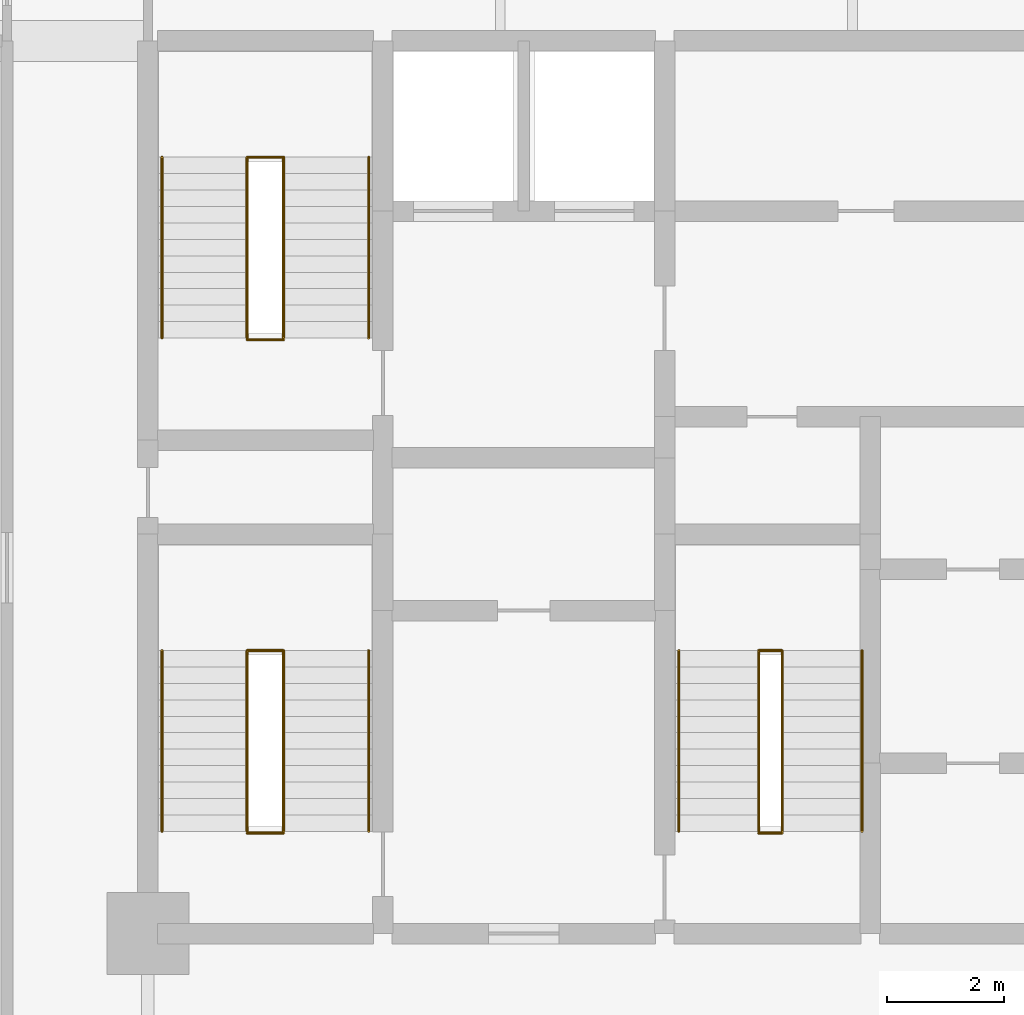
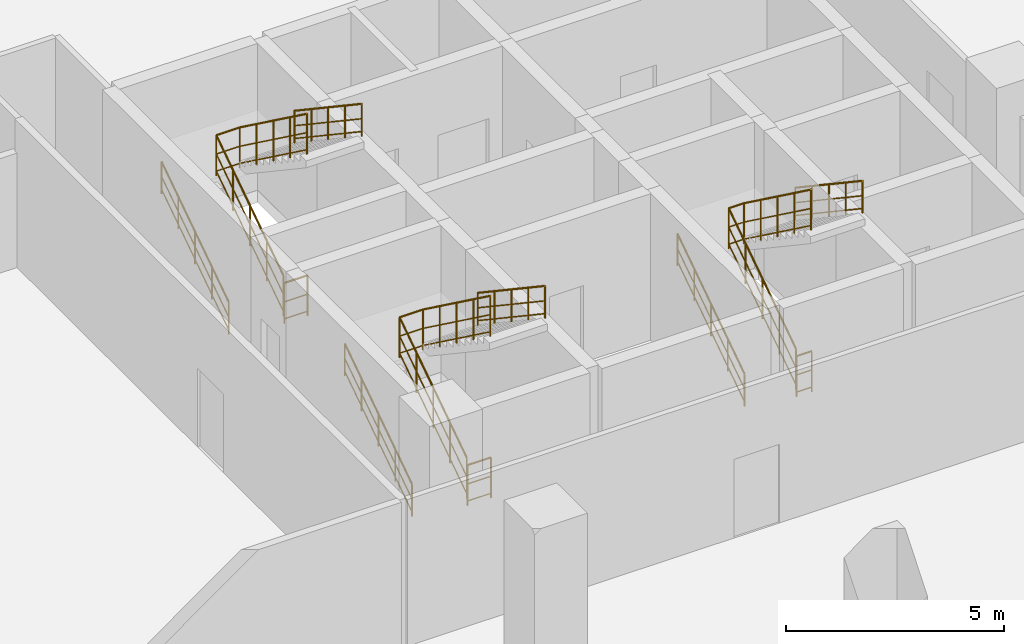
# One storey, part 7 of 7: 12 railings.
"""IFC4 building model written with IfcOpenShell, lengths in metres."""

from ifc_helpers import new_model, si_unit, direction, frame, origin, origin_2d, place, context, subcontext, project, spatial, circle, extrude, material, layer, layer_set, type_object, element, save


model = new_model("IFC4")

# Units and contexts
model_context = context("Model", 3, precision=1e-05, world=origin(), true_north=direction((0.0, 1.0)))
body_context = subcontext(model_context, "Body", "Model", "MODEL_VIEW")
ifc_project = project(units=[si_unit("LENGTHUNIT", "METRE"), si_unit("AREAUNIT", "SQUARE_METRE"), si_unit("VOLUMEUNIT", "CUBIC_METRE"), si_unit("PLANEANGLEUNIT", "RADIAN"), si_unit("MASSUNIT", "GRAM", prefix="KILO")], contexts=[model_context])

# Site, building, storey
site_placement = place(None, origin())
site = spatial("IfcSite", under=ifc_project, at=site_placement, CompositionType="ELEMENT")
building_placement = place(site_placement, origin())
building = spatial("IfcBuilding", under=site, at=building_placement, Name="Keshet Zoharim Tower", CompositionType="ELEMENT")
storey_placement = place(building_placement, frame((0.0, 0.0, -4.5)))
storey = spatial("IfcBuildingStorey", under=building, at=storey_placement, Name="B1", CompositionType="ELEMENT", Elevation=-4.5)

# Railings
ifc_material = material(Name="Steel S355", Category="steel")
ifc_layer_1 = layer(ifc_material, 0.050048828125)
ifc_layer_set_1 = layer_set([ifc_layer_1], Name="Steel S355")
railing_type_1 = type_object("IfcRailingType", Name="RL-HND-092", PredefinedType="HANDRAIL", material=ifc_layer_set_1)
railing_1_placement = place(storey_placement, frame((15.239990234375, 24.43994140625, 0.1875)))
element("IfcRailing", 1, at=railing_1_placement, inside=storey, type_object=railing_type_1, Name="B1 ST-01 Flight 1 Wall Handrail", PredefinedType="HANDRAIL", context=body_context, shape_type="SweptSolid", body=[
    extrude(circle(Radius=0.02392578125, at=origin_2d()), frame((0.0, 0.0, 0.89599609375), z_axis=(0.0, 0.830913701846, 0.55640131208), x_axis=(-1.0, 0.0, 0.0)), (0.0, 0.0, 1.0), 3.706787109375),
    extrude(circle(Radius=0.01611328125, at=origin_2d()), frame((0.0, 0.0, 0.478271484375), z_axis=(0.0, 0.830913701846, 0.55640131208), x_axis=(-1.0, 0.0, 0.0)), (0.0, 0.0, 1.0), 3.706787109375),
    extrude(circle(Radius=0.01611328125, at=origin_2d()), frame((0.0, 0.0, 0.1201171875), z_axis=(0.0, 0.830913701846, 0.55640131208), x_axis=(-1.0, 0.0, 0.0)), (0.0, 0.0, 1.0), 3.706787109375),
    extrude(circle(Radius=0.02099609375, at=origin_2d()), origin(), (0.0, 0.0, 1.0), 0.871826171875),
    extrude(circle(Radius=0.02099609375, at=origin_2d()), frame((0.0, 0.77001953125, 0.515625)), (0.0, 0.0, 1.0), 0.871826171875),
    extrude(circle(Radius=0.02099609375, at=origin_2d()), frame((0.0, 1.5400390625, 1.03125)), (0.0, 0.0, 1.0), 0.871826171875),
    extrude(circle(Radius=0.02099609375, at=origin_2d()), frame((0.0, 2.31005859375, 1.546875)), (0.0, 0.0, 1.0), 0.871826171875),
    extrude(circle(Radius=0.02099609375, at=origin_2d()), frame((0.0, 3.080078125, 2.0625)), (0.0, 0.0, 1.0), 0.871826171875),
])
railing_2_placement = place(storey_placement, frame((18.760009765625, 27.52001953125, 2.4375)))
element("IfcRailing", 2, at=railing_2_placement, inside=storey, type_object=railing_type_1, Name="B1 ST-01 Flight 2 Wall Handrail", PredefinedType="HANDRAIL", context=body_context, shape_type="SweptSolid", body=[
    extrude(circle(Radius=0.02392578125, at=origin_2d()), frame((0.0, 0.0, 0.89599609375), z_axis=(0.0, -0.830913701846, 0.55640131208), x_axis=(1.0, 0.0, 0.0)), (0.0, 0.0, 1.0), 3.706787109375),
    extrude(circle(Radius=0.01611328125, at=origin_2d()), frame((0.0, 0.0, 0.478271484375), z_axis=(0.0, -0.830913701846, 0.55640131208), x_axis=(1.0, 0.0, 0.0)), (0.0, 0.0, 1.0), 3.706787109375),
    extrude(circle(Radius=0.01611328125, at=origin_2d()), frame((0.0, 0.0, 0.1201171875), z_axis=(0.0, -0.830913701846, 0.55640131208), x_axis=(1.0, 0.0, 0.0)), (0.0, 0.0, 1.0), 3.706787109375),
    extrude(circle(Radius=0.02099609375, at=origin_2d()), origin(), (0.0, 0.0, 1.0), 0.871826171875),
    extrude(circle(Radius=0.02099609375, at=origin_2d()), frame((0.0, -0.77001953125, 0.515625)), (0.0, 0.0, 1.0), 0.871826171875),
    extrude(circle(Radius=0.02099609375, at=origin_2d()), frame((0.0, -1.5400390625, 1.03125)), (0.0, 0.0, 1.0), 0.871826171875),
    extrude(circle(Radius=0.02099609375, at=origin_2d()), frame((0.0, -2.31005859375, 1.546875)), (0.0, 0.0, 1.0), 0.871826171875),
    extrude(circle(Radius=0.02099609375, at=origin_2d()), frame((0.0, -3.080078125, 2.0625)), (0.0, 0.0, 1.0), 0.871826171875),
])
railing_3_placement = place(storey_placement, frame((15.239990234375, 32.840087890625, 0.1875)))
element("IfcRailing", 3, at=railing_3_placement, inside=storey, type_object=railing_type_1, Name="B1 ST-02 Flight 1 Wall Handrail", PredefinedType="HANDRAIL", context=body_context, shape_type="SweptSolid", body=[
    extrude(circle(Radius=0.02392578125, at=origin_2d()), frame((0.0, 0.0, 0.89599609375), z_axis=(0.0, 0.830893310487, 0.556431762742), x_axis=(-1.0, 0.0, 0.0)), (0.0, 0.0, 1.0), 3.70654296875),
    extrude(circle(Radius=0.01611328125, at=origin_2d()), frame((0.0, 0.0, 0.478271484375), z_axis=(0.0, 0.830893310487, 0.556431762742), x_axis=(-1.0, 0.0, 0.0)), (0.0, 0.0, 1.0), 3.70654296875),
    extrude(circle(Radius=0.01611328125, at=origin_2d()), frame((0.0, 0.0, 0.1201171875), z_axis=(0.0, 0.830893310487, 0.556431762742), x_axis=(-1.0, 0.0, 0.0)), (0.0, 0.0, 1.0), 3.70654296875),
    extrude(circle(Radius=0.02099609375, at=origin_2d()), origin(), (0.0, 0.0, 1.0), 0.871826171875),
    extrude(circle(Radius=0.02099609375, at=origin_2d()), frame((0.0, 0.77001953125, 0.515625)), (0.0, 0.0, 1.0), 0.871826171875),
    extrude(circle(Radius=0.02099609375, at=origin_2d()), frame((0.0, 1.5400390625, 1.03125)), (0.0, 0.0, 1.0), 0.871826171875),
    extrude(circle(Radius=0.02099609375, at=origin_2d()), frame((0.0, 2.309814453125, 1.546875)), (0.0, 0.0, 1.0), 0.871826171875),
    extrude(circle(Radius=0.02099609375, at=origin_2d()), frame((0.0, 3.079833984375, 2.0625)), (0.0, 0.0, 1.0), 0.871826171875),
])
railing_4_placement = place(storey_placement, frame((18.760009765625, 35.919921875, 2.4375)))
element("IfcRailing", 4, at=railing_4_placement, inside=storey, type_object=railing_type_1, Name="B1 ST-02 Flight 2 Wall Handrail", PredefinedType="HANDRAIL", context=body_context, shape_type="SweptSolid", body=[
    extrude(circle(Radius=0.02392578125, at=origin_2d()), frame((0.0, 0.0, 0.89599609375), z_axis=(0.0, -0.830893310487, 0.556431762742), x_axis=(1.0, 0.0, 0.0)), (0.0, 0.0, 1.0), 3.70654296875),
    extrude(circle(Radius=0.01611328125, at=origin_2d()), frame((0.0, 0.0, 0.478271484375), z_axis=(0.0, -0.830893310487, 0.556431762742), x_axis=(1.0, 0.0, 0.0)), (0.0, 0.0, 1.0), 3.70654296875),
    extrude(circle(Radius=0.01611328125, at=origin_2d()), frame((0.0, 0.0, 0.1201171875), z_axis=(0.0, -0.830893310487, 0.556431762742), x_axis=(1.0, 0.0, 0.0)), (0.0, 0.0, 1.0), 3.70654296875),
    extrude(circle(Radius=0.02099609375, at=origin_2d()), origin(), (0.0, 0.0, 1.0), 0.871826171875),
    extrude(circle(Radius=0.02099609375, at=origin_2d()), frame((0.0, -0.77001953125, 0.515625)), (0.0, 0.0, 1.0), 0.871826171875),
    extrude(circle(Radius=0.02099609375, at=origin_2d()), frame((0.0, -1.5400390625, 1.03125)), (0.0, 0.0, 1.0), 0.871826171875),
    extrude(circle(Radius=0.02099609375, at=origin_2d()), frame((0.0, -2.309814453125, 1.546875)), (0.0, 0.0, 1.0), 0.871826171875),
    extrude(circle(Radius=0.02099609375, at=origin_2d()), frame((0.0, -3.079833984375, 2.0625)), (0.0, 0.0, 1.0), 0.871826171875),
])
railing_5_placement = place(storey_placement, frame((24.0400390625, 24.43994140625, 0.1875)))
element("IfcRailing", 5, at=railing_5_placement, inside=storey, type_object=railing_type_1, Name="B1 ST-03 Flight 1 Wall Handrail", PredefinedType="HANDRAIL", context=body_context, shape_type="SweptSolid", body=[
    extrude(circle(Radius=0.02392578125, at=origin_2d()), frame((0.0, 0.0, 0.89599609375), z_axis=(0.0, 0.830913701846, 0.55640131208), x_axis=(-1.0, 0.0, 0.0)), (0.0, 0.0, 1.0), 3.706787109375),
    extrude(circle(Radius=0.01611328125, at=origin_2d()), frame((0.0, 0.0, 0.478271484375), z_axis=(0.0, 0.830913701846, 0.55640131208), x_axis=(-1.0, 0.0, 0.0)), (0.0, 0.0, 1.0), 3.706787109375),
    extrude(circle(Radius=0.01611328125, at=origin_2d()), frame((0.0, 0.0, 0.1201171875), z_axis=(0.0, 0.830913701846, 0.55640131208), x_axis=(-1.0, 0.0, 0.0)), (0.0, 0.0, 1.0), 3.706787109375),
    extrude(circle(Radius=0.02099609375, at=origin_2d()), origin(), (0.0, 0.0, 1.0), 0.871826171875),
    extrude(circle(Radius=0.02099609375, at=origin_2d()), frame((0.0, 0.77001953125, 0.515625)), (0.0, 0.0, 1.0), 0.871826171875),
    extrude(circle(Radius=0.02099609375, at=origin_2d()), frame((0.0, 1.5400390625, 1.03125)), (0.0, 0.0, 1.0), 0.871826171875),
    extrude(circle(Radius=0.02099609375, at=origin_2d()), frame((0.0, 2.31005859375, 1.546875)), (0.0, 0.0, 1.0), 0.871826171875),
    extrude(circle(Radius=0.02099609375, at=origin_2d()), frame((0.0, 3.080078125, 2.0625)), (0.0, 0.0, 1.0), 0.871826171875),
])
railing_6_placement = place(storey_placement, frame((27.159912109375, 27.52001953125, 2.4375)))
element("IfcRailing", 6, at=railing_6_placement, inside=storey, type_object=railing_type_1, Name="B1 ST-03 Flight 2 Wall Handrail", PredefinedType="HANDRAIL", context=body_context, shape_type="SweptSolid", body=[
    extrude(circle(Radius=0.02392578125, at=origin_2d()), frame((0.0, 0.0, 0.89599609375), z_axis=(0.0, -0.830913701846, 0.55640131208), x_axis=(1.0, 0.0, 0.0)), (0.0, 0.0, 1.0), 3.706787109375),
    extrude(circle(Radius=0.01611328125, at=origin_2d()), frame((0.0, 0.0, 0.478271484375), z_axis=(0.0, -0.830913701846, 0.55640131208), x_axis=(1.0, 0.0, 0.0)), (0.0, 0.0, 1.0), 3.706787109375),
    extrude(circle(Radius=0.01611328125, at=origin_2d()), frame((0.0, 0.0, 0.1201171875), z_axis=(0.0, -0.830913701846, 0.55640131208), x_axis=(1.0, 0.0, 0.0)), (0.0, 0.0, 1.0), 3.706787109375),
    extrude(circle(Radius=0.02099609375, at=origin_2d()), origin(), (0.0, 0.0, 1.0), 0.871826171875),
    extrude(circle(Radius=0.02099609375, at=origin_2d()), frame((0.0, -0.77001953125, 0.515625)), (0.0, 0.0, 1.0), 0.871826171875),
    extrude(circle(Radius=0.02099609375, at=origin_2d()), frame((0.0, -1.5400390625, 1.03125)), (0.0, 0.0, 1.0), 0.871826171875),
    extrude(circle(Radius=0.02099609375, at=origin_2d()), frame((0.0, -2.31005859375, 1.546875)), (0.0, 0.0, 1.0), 0.871826171875),
    extrude(circle(Radius=0.02099609375, at=origin_2d()), frame((0.0, -3.080078125, 2.0625)), (0.0, 0.0, 1.0), 0.871826171875),
])
ifc_layer_2 = layer(ifc_material, 0.06005859375)
ifc_layer_set_2 = layer_set([ifc_layer_2], Name="Steel S355")
railing_type_2 = type_object("IfcRailingType", Name="RL-STG-115", PredefinedType="GUARDRAIL", material=ifc_layer_set_2)
railing_7_placement = place(storey_placement, frame((16.68994140625, 24.43994140625, 0.1875)))
element("IfcRailing", 7, at=railing_7_placement, inside=storey, type_object=railing_type_2, Name="B1 ST-01 Inner Well Guardrail", PredefinedType="GUARDRAIL", context=body_context, shape_type="SweptSolid", body=[
    extrude(circle(Radius=0.02392578125, at=origin_2d()), frame((0.0, 0.0, 1.1259765625), z_axis=(0.0, 0.830913701846, 0.55640131208), x_axis=(-1.0, 0.0, 0.0)), (0.0, 0.0, 1.0), 3.706787109375),
    extrude(circle(Radius=0.01611328125, at=origin_2d()), frame((0.0, 0.0, 0.597900390625), z_axis=(0.0, 0.830913701846, 0.55640131208), x_axis=(-1.0, 0.0, 0.0)), (0.0, 0.0, 1.0), 3.706787109375),
    extrude(circle(Radius=0.01611328125, at=origin_2d()), frame((0.0, 0.0, 0.1201171875), z_axis=(0.0, 0.830913701846, 0.55640131208), x_axis=(-1.0, 0.0, 0.0)), (0.0, 0.0, 1.0), 3.706787109375),
    extrude(circle(Radius=0.02392578125, at=origin_2d()), frame((0.0, 3.080078125, 3.1884765625), z_axis=(1.0, 0.0, 0.0), x_axis=(0.0, 1.0, 0.0)), (0.0, 0.0, 1.0), 0.6201171875),
    extrude(circle(Radius=0.01611328125, at=origin_2d()), frame((0.0, 3.080078125, 2.660400390625), z_axis=(1.0, 0.0, 0.0), x_axis=(0.0, 1.0, 0.0)), (0.0, 0.0, 1.0), 0.6201171875),
    extrude(circle(Radius=0.01611328125, at=origin_2d()), frame((0.0, 3.080078125, 2.1826171875), z_axis=(1.0, 0.0, 0.0), x_axis=(0.0, 1.0, 0.0)), (0.0, 0.0, 1.0), 0.6201171875),
    extrude(circle(Radius=0.02392578125, at=origin_2d()), frame((0.6201171875, 3.080078125, 3.1884765625), z_axis=(0.0, -0.807494308864, 0.589875360692), x_axis=(1.0, 0.0, 0.0)), (0.0, 0.0, 1.0), 3.814453125),
    extrude(circle(Radius=0.01611328125, at=origin_2d()), frame((0.6201171875, 3.080078125, 2.660400390625), z_axis=(0.0, -0.807494308864, 0.589875360692), x_axis=(1.0, 0.0, 0.0)), (0.0, 0.0, 1.0), 3.814453125),
    extrude(circle(Radius=0.01611328125, at=origin_2d()), frame((0.6201171875, 3.080078125, 2.1826171875), z_axis=(0.0, -0.807494308864, 0.589875360692), x_axis=(1.0, 0.0, 0.0)), (0.0, 0.0, 1.0), 3.814453125),
    extrude(circle(Radius=0.02099609375, at=origin_2d()), origin(), (0.0, 0.0, 1.0), 1.101806640625),
    extrude(circle(Radius=0.02099609375, at=origin_2d()), frame((0.0, 0.77001953125, 0.515625)), (0.0, 0.0, 1.0), 1.101806640625),
    extrude(circle(Radius=0.02099609375, at=origin_2d()), frame((0.0, 1.5400390625, 1.03125)), (0.0, 0.0, 1.0), 1.101806640625),
    extrude(circle(Radius=0.02099609375, at=origin_2d()), frame((0.0, 2.31005859375, 1.546875)), (0.0, 0.0, 1.0), 1.101806640625),
    extrude(circle(Radius=0.02099609375, at=origin_2d()), frame((0.0, 3.080078125, 2.0625)), (0.0, 0.0, 1.0), 1.101806640625),
    extrude(circle(Radius=0.02099609375, at=origin_2d()), frame((0.6201171875, 3.080078125, 2.0625)), (0.0, 0.0, 1.0), 1.101806640625),
    extrude(circle(Radius=0.02099609375, at=origin_2d()), frame((0.6201171875, 2.31005859375, 2.625)), (0.0, 0.0, 1.0), 1.101806640625),
    extrude(circle(Radius=0.02099609375, at=origin_2d()), frame((0.6201171875, 1.5400390625, 3.1875)), (0.0, 0.0, 1.0), 1.101806640625),
    extrude(circle(Radius=0.02099609375, at=origin_2d()), frame((0.6201171875, 0.77001953125, 3.75)), (0.0, 0.0, 1.0), 1.101806640625),
    extrude(circle(Radius=0.02099609375, at=origin_2d()), frame((0.6201171875, 0.0, 4.3125)), (0.0, 0.0, 1.0), 1.101806640625),
])
railing_8_placement = place(storey_placement, frame((16.68994140625, 24.409912109375, 0.0)))
element("IfcRailing", 8, at=railing_8_placement, inside=storey, type_object=railing_type_2, Name="B1 ST-01 Stairwell Floor Guardrail", PredefinedType="GUARDRAIL", context=body_context, shape_type="SweptSolid", body=[
    extrude(circle(Radius=0.02392578125, at=origin_2d()), frame((0.0, 0.0, 1.1259765625), z_axis=(1.0, 0.0, 0.0), x_axis=(0.0, 1.0, 0.0)), (0.0, 0.0, 1.0), 0.6201171875),
    extrude(circle(Radius=0.01611328125, at=origin_2d()), frame((0.0, 0.0, 0.597900390625), z_axis=(1.0, 0.0, 0.0), x_axis=(0.0, 1.0, 0.0)), (0.0, 0.0, 1.0), 0.6201171875),
    extrude(circle(Radius=0.01611328125, at=origin_2d()), frame((0.0, 0.0, 0.1201171875), z_axis=(1.0, 0.0, 0.0), x_axis=(0.0, 1.0, 0.0)), (0.0, 0.0, 1.0), 0.6201171875),
    extrude(circle(Radius=0.02099609375, at=origin_2d()), origin(), (0.0, 0.0, 1.0), 1.101806640625),
    extrude(circle(Radius=0.02099609375, at=origin_2d()), frame((0.6201171875, 0.0, 0.0)), (0.0, 0.0, 1.0), 1.101806640625),
])
railing_9_placement = place(storey_placement, frame((16.68994140625, 32.840087890625, 0.1875)))
element("IfcRailing", 9, at=railing_9_placement, inside=storey, type_object=railing_type_2, Name="B1 ST-02 Inner Well Guardrail", PredefinedType="GUARDRAIL", context=body_context, shape_type="SweptSolid", body=[
    extrude(circle(Radius=0.02392578125, at=origin_2d()), frame((0.0, 0.0, 1.1259765625), z_axis=(0.0, 0.830893310487, 0.556431762742), x_axis=(-1.0, 0.0, 0.0)), (0.0, 0.0, 1.0), 3.70654296875),
    extrude(circle(Radius=0.01611328125, at=origin_2d()), frame((0.0, 0.0, 0.597900390625), z_axis=(0.0, 0.830893310487, 0.556431762742), x_axis=(-1.0, 0.0, 0.0)), (0.0, 0.0, 1.0), 3.70654296875),
    extrude(circle(Radius=0.01611328125, at=origin_2d()), frame((0.0, 0.0, 0.1201171875), z_axis=(0.0, 0.830893310487, 0.556431762742), x_axis=(-1.0, 0.0, 0.0)), (0.0, 0.0, 1.0), 3.70654296875),
    extrude(circle(Radius=0.02392578125, at=origin_2d()), frame((0.0, 3.079833984375, 3.1884765625), z_axis=(1.0, 0.0, 0.0), x_axis=(0.0, 1.0, 0.0)), (0.0, 0.0, 1.0), 0.6201171875),
    extrude(circle(Radius=0.01611328125, at=origin_2d()), frame((0.0, 3.079833984375, 2.660400390625), z_axis=(1.0, 0.0, 0.0), x_axis=(0.0, 1.0, 0.0)), (0.0, 0.0, 1.0), 0.6201171875),
    extrude(circle(Radius=0.01611328125, at=origin_2d()), frame((0.0, 3.079833984375, 2.1826171875), z_axis=(1.0, 0.0, 0.0), x_axis=(0.0, 1.0, 0.0)), (0.0, 0.0, 1.0), 0.6201171875),
    extrude(circle(Radius=0.02392578125, at=origin_2d()), frame((0.6201171875, 3.079833984375, 3.1884765625), z_axis=(0.0, -0.80747203621, 0.589905849046), x_axis=(1.0, 0.0, 0.0)), (0.0, 0.0, 1.0), 3.814208984375),
    extrude(circle(Radius=0.01611328125, at=origin_2d()), frame((0.6201171875, 3.079833984375, 2.660400390625), z_axis=(0.0, -0.80747203621, 0.589905849046), x_axis=(1.0, 0.0, 0.0)), (0.0, 0.0, 1.0), 3.814208984375),
    extrude(circle(Radius=0.01611328125, at=origin_2d()), frame((0.6201171875, 3.079833984375, 2.1826171875), z_axis=(0.0, -0.80747203621, 0.589905849046), x_axis=(1.0, 0.0, 0.0)), (0.0, 0.0, 1.0), 3.814208984375),
    extrude(circle(Radius=0.02099609375, at=origin_2d()), origin(), (0.0, 0.0, 1.0), 1.101806640625),
    extrude(circle(Radius=0.02099609375, at=origin_2d()), frame((0.0, 0.77001953125, 0.515625)), (0.0, 0.0, 1.0), 1.101806640625),
    extrude(circle(Radius=0.02099609375, at=origin_2d()), frame((0.0, 1.5400390625, 1.03125)), (0.0, 0.0, 1.0), 1.101806640625),
    extrude(circle(Radius=0.02099609375, at=origin_2d()), frame((0.0, 2.309814453125, 1.546875)), (0.0, 0.0, 1.0), 1.101806640625),
    extrude(circle(Radius=0.02099609375, at=origin_2d()), frame((0.0, 3.079833984375, 2.0625)), (0.0, 0.0, 1.0), 1.101806640625),
    extrude(circle(Radius=0.02099609375, at=origin_2d()), frame((0.6201171875, 3.079833984375, 2.0625)), (0.0, 0.0, 1.0), 1.101806640625),
    extrude(circle(Radius=0.02099609375, at=origin_2d()), frame((0.6201171875, 2.309814453125, 2.625)), (0.0, 0.0, 1.0), 1.101806640625),
    extrude(circle(Radius=0.02099609375, at=origin_2d()), frame((0.6201171875, 1.5400390625, 3.1875)), (0.0, 0.0, 1.0), 1.101806640625),
    extrude(circle(Radius=0.02099609375, at=origin_2d()), frame((0.6201171875, 0.77001953125, 3.75)), (0.0, 0.0, 1.0), 1.101806640625),
    extrude(circle(Radius=0.02099609375, at=origin_2d()), frame((0.6201171875, 0.0, 4.3125)), (0.0, 0.0, 1.0), 1.101806640625),
])
railing_10_placement = place(storey_placement, frame((16.68994140625, 32.81005859375, 0.0)))
element("IfcRailing", 10, at=railing_10_placement, inside=storey, type_object=railing_type_2, Name="B1 ST-02 Stairwell Floor Guardrail", PredefinedType="GUARDRAIL", context=body_context, shape_type="SweptSolid", body=[
    extrude(circle(Radius=0.02392578125, at=origin_2d()), frame((0.0, 0.0, 1.1259765625), z_axis=(1.0, 0.0, 0.0), x_axis=(0.0, 1.0, 0.0)), (0.0, 0.0, 1.0), 0.6201171875),
    extrude(circle(Radius=0.01611328125, at=origin_2d()), frame((0.0, 0.0, 0.597900390625), z_axis=(1.0, 0.0, 0.0), x_axis=(0.0, 1.0, 0.0)), (0.0, 0.0, 1.0), 0.6201171875),
    extrude(circle(Radius=0.01611328125, at=origin_2d()), frame((0.0, 0.0, 0.1201171875), z_axis=(1.0, 0.0, 0.0), x_axis=(0.0, 1.0, 0.0)), (0.0, 0.0, 1.0), 0.6201171875),
    extrude(circle(Radius=0.02099609375, at=origin_2d()), origin(), (0.0, 0.0, 1.0), 1.101806640625),
    extrude(circle(Radius=0.02099609375, at=origin_2d()), frame((0.6201171875, 0.0, 0.0)), (0.0, 0.0, 1.0), 1.101806640625),
])
railing_11_placement = place(storey_placement, frame((25.39990234375, 24.43994140625, 0.1875)))
element("IfcRailing", 11, at=railing_11_placement, inside=storey, type_object=railing_type_2, Name="B1 ST-03 Inner Well Guardrail", PredefinedType="GUARDRAIL", context=body_context, shape_type="SweptSolid", body=[
    extrude(circle(Radius=0.02392578125, at=origin_2d()), frame((0.0, 0.0, 1.1259765625), z_axis=(0.0, 0.830913701846, 0.55640131208), x_axis=(-1.0, 0.0, 0.0)), (0.0, 0.0, 1.0), 3.706787109375),
    extrude(circle(Radius=0.01611328125, at=origin_2d()), frame((0.0, 0.0, 0.597900390625), z_axis=(0.0, 0.830913701846, 0.55640131208), x_axis=(-1.0, 0.0, 0.0)), (0.0, 0.0, 1.0), 3.706787109375),
    extrude(circle(Radius=0.01611328125, at=origin_2d()), frame((0.0, 0.0, 0.1201171875), z_axis=(0.0, 0.830913701846, 0.55640131208), x_axis=(-1.0, 0.0, 0.0)), (0.0, 0.0, 1.0), 3.706787109375),
    extrude(circle(Radius=0.02392578125, at=origin_2d()), frame((0.0, 3.080078125, 3.1884765625), z_axis=(1.0, 0.0, 0.0), x_axis=(0.0, 1.0, 0.0)), (0.0, 0.0, 1.0), 0.400146484375),
    extrude(circle(Radius=0.01611328125, at=origin_2d()), frame((0.0, 3.080078125, 2.660400390625), z_axis=(1.0, 0.0, 0.0), x_axis=(0.0, 1.0, 0.0)), (0.0, 0.0, 1.0), 0.400146484375),
    extrude(circle(Radius=0.01611328125, at=origin_2d()), frame((0.0, 3.080078125, 2.1826171875), z_axis=(1.0, 0.0, 0.0), x_axis=(0.0, 1.0, 0.0)), (0.0, 0.0, 1.0), 0.400146484375),
    extrude(circle(Radius=0.02392578125, at=origin_2d()), frame((0.400146484375, 3.080078125, 3.1884765625), z_axis=(0.0, -0.807494308864, 0.589875360692), x_axis=(1.0, 0.0, 0.0)), (0.0, 0.0, 1.0), 3.814453125),
    extrude(circle(Radius=0.01611328125, at=origin_2d()), frame((0.400146484375, 3.080078125, 2.660400390625), z_axis=(0.0, -0.807494308864, 0.589875360692), x_axis=(1.0, 0.0, 0.0)), (0.0, 0.0, 1.0), 3.814453125),
    extrude(circle(Radius=0.01611328125, at=origin_2d()), frame((0.400146484375, 3.080078125, 2.1826171875), z_axis=(0.0, -0.807494308864, 0.589875360692), x_axis=(1.0, 0.0, 0.0)), (0.0, 0.0, 1.0), 3.814453125),
    extrude(circle(Radius=0.02099609375, at=origin_2d()), origin(), (0.0, 0.0, 1.0), 1.101806640625),
    extrude(circle(Radius=0.02099609375, at=origin_2d()), frame((0.0, 0.77001953125, 0.515625)), (0.0, 0.0, 1.0), 1.101806640625),
    extrude(circle(Radius=0.02099609375, at=origin_2d()), frame((0.0, 1.5400390625, 1.03125)), (0.0, 0.0, 1.0), 1.101806640625),
    extrude(circle(Radius=0.02099609375, at=origin_2d()), frame((0.0, 2.31005859375, 1.546875)), (0.0, 0.0, 1.0), 1.101806640625),
    extrude(circle(Radius=0.02099609375, at=origin_2d()), frame((0.0, 3.080078125, 2.0625)), (0.0, 0.0, 1.0), 1.101806640625),
    extrude(circle(Radius=0.02099609375, at=origin_2d()), frame((0.400146484375, 3.080078125, 2.0625)), (0.0, 0.0, 1.0), 1.101806640625),
    extrude(circle(Radius=0.02099609375, at=origin_2d()), frame((0.400146484375, 2.31005859375, 2.625)), (0.0, 0.0, 1.0), 1.101806640625),
    extrude(circle(Radius=0.02099609375, at=origin_2d()), frame((0.400146484375, 1.5400390625, 3.1875)), (0.0, 0.0, 1.0), 1.101806640625),
    extrude(circle(Radius=0.02099609375, at=origin_2d()), frame((0.400146484375, 0.77001953125, 3.75)), (0.0, 0.0, 1.0), 1.101806640625),
    extrude(circle(Radius=0.02099609375, at=origin_2d()), frame((0.400146484375, 0.0, 4.3125)), (0.0, 0.0, 1.0), 1.101806640625),
])
railing_12_placement = place(storey_placement, frame((25.39990234375, 24.409912109375, 0.0)))
element("IfcRailing", 12, at=railing_12_placement, inside=storey, type_object=railing_type_2, Name="B1 ST-03 Stairwell Floor Guardrail", PredefinedType="GUARDRAIL", context=body_context, shape_type="SweptSolid", body=[
    extrude(circle(Radius=0.02392578125, at=origin_2d()), frame((0.0, 0.0, 1.1259765625), z_axis=(1.0, 0.0, 0.0), x_axis=(0.0, 1.0, 0.0)), (0.0, 0.0, 1.0), 0.400146484375),
    extrude(circle(Radius=0.01611328125, at=origin_2d()), frame((0.0, 0.0, 0.597900390625), z_axis=(1.0, 0.0, 0.0), x_axis=(0.0, 1.0, 0.0)), (0.0, 0.0, 1.0), 0.400146484375),
    extrude(circle(Radius=0.01611328125, at=origin_2d()), frame((0.0, 0.0, 0.1201171875), z_axis=(1.0, 0.0, 0.0), x_axis=(0.0, 1.0, 0.0)), (0.0, 0.0, 1.0), 0.400146484375),
    extrude(circle(Radius=0.02099609375, at=origin_2d()), origin(), (0.0, 0.0, 1.0), 1.101806640625),
    extrude(circle(Radius=0.02099609375, at=origin_2d()), frame((0.400146484375, 0.0, 0.0)), (0.0, 0.0, 1.0), 1.101806640625),
])

save(model, "model.ifc")
